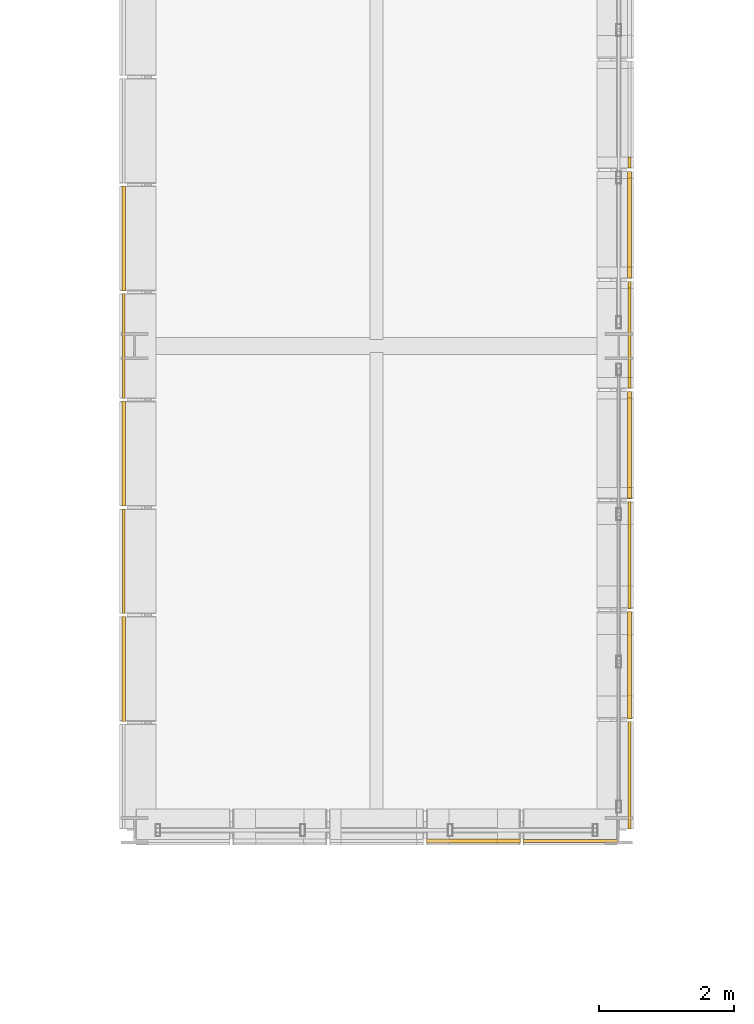
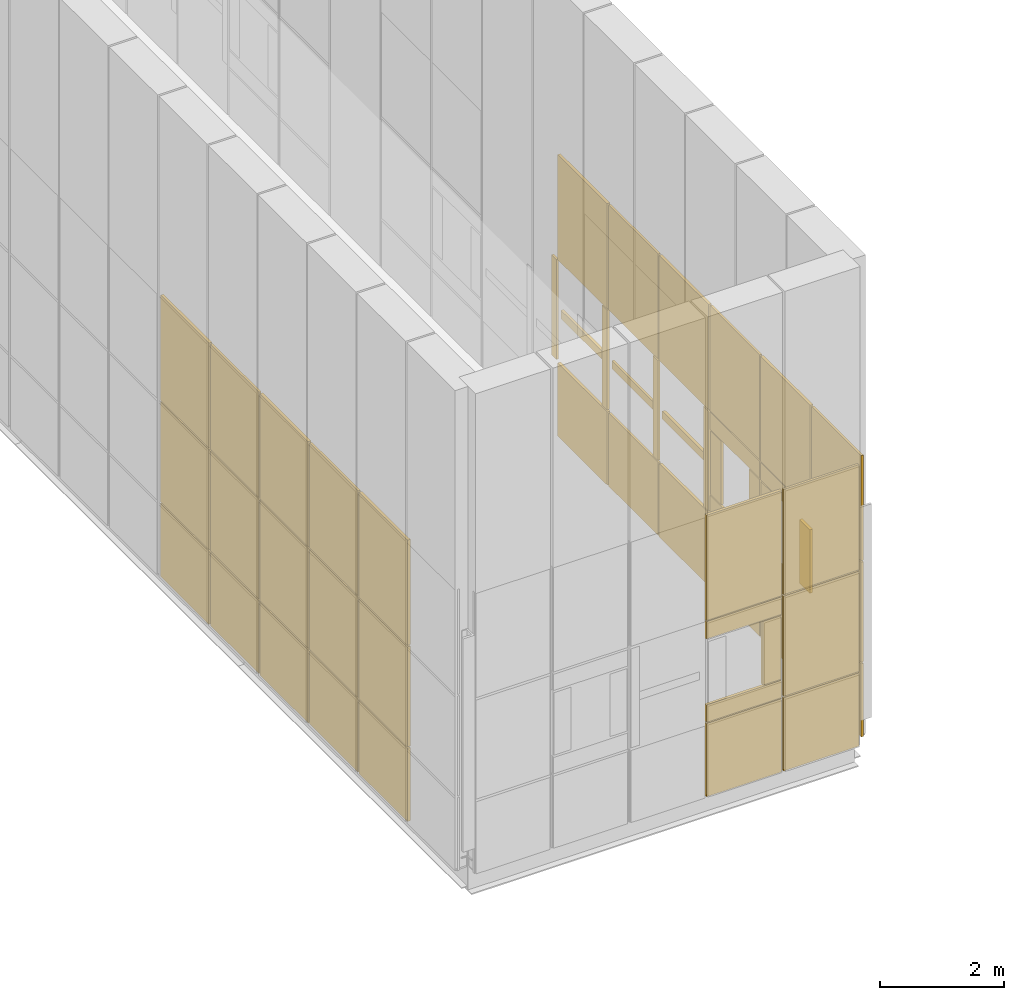
# One storey, part 127 of 144: 51 coverings.
"""IFC4 building model written with IfcOpenShell, lengths in metres."""

import ifcopenshell
import ifcopenshell.guid

model = None  # the IFC model being written
_history = None  # IfcOwnerHistory: only IFC2X3 demands one
_inside = {}  # id of a spatial element -> (the spatial element, [elements in it])
_under = {}  # id of a project, library or spatial element -> (it, [spatial elements below it])
_declared = {}  # id of a project -> (the project, [libraries it declares])
_typed = {}  # id of a type object -> (the type object, [elements of that type])
_made_of = {}  # id of a material, layer set ... -> (it, [elements and type objects made of it])


def new_model(schema):
    """Start an empty IFC model of exactly this schema.

    Asked for "IFC4X3", IfcOpenShell would pick the latest addendum, in which some entities
    have other attributes; the version numbers below select the first issue.
    IFC2X3 requires an IfcOwnerHistory on every rooted entity: one is made here for all.
    """
    global model, _history
    if schema == "IFC4X3":
        model = ifcopenshell.file(schema_version=(4, 3, 0, 0))
    else:
        model = ifcopenshell.file(schema=schema)
    _inside.clear()
    _under.clear()
    _declared.clear()
    _typed.clear()
    _made_of.clear()
    _history = None
    if model.schema == "IFC2X3":
        org = make("IfcOrganization", Name="unknown")
        user = make(
            "IfcPersonAndOrganization",
            ThePerson=make("IfcPerson", FamilyName="unknown"),
            TheOrganization=org,
        )
        app = make(
            "IfcApplication",
            ApplicationDeveloper=org,
            Version="unknown",
            ApplicationFullName="unknown",
            ApplicationIdentifier="unknown",
        )
        _history = make(
            "IfcOwnerHistory",
            OwningUser=user,
            OwningApplication=app,
            ChangeAction="ADDED",
            CreationDate=0,
        )
    return model


def make(cls, **values):
    """One entity of the class cls with the attributes given. An attribute that is None is left unset."""
    return model.create_entity(
        cls, **{name: value for name, value in values.items() if value is not None}
    )


def rooted(cls, **values):
    """An entity with a GlobalId (a new one), such as an element, a storey or a relation."""
    return make(cls, GlobalId=ifcopenshell.guid.new(), OwnerHistory=_history, **values)


def si_unit(unit_type, name, prefix=None):
    """IfcSIUnit, for example si_unit("LENGTHUNIT", "METRE", prefix="MILLI")."""
    return make("IfcSIUnit", UnitType=unit_type, Prefix=prefix, Name=name)


def assignment(units):
    """IfcUnitAssignment: the units of a project."""
    return None if units is None else make("IfcUnitAssignment", Units=units)


def point(xyz):
    """IfcCartesianPoint."""
    return None if xyz is None else make("IfcCartesianPoint", Coordinates=xyz)


def direction(xyz):
    """IfcDirection."""
    return None if xyz is None else make("IfcDirection", DirectionRatios=xyz)


def frame(location, z_axis=None, x_axis=None):
    """IfcAxis2Placement3D, a coordinate frame: its origin and axes. An axis left out is left unset."""
    return make(
        "IfcAxis2Placement3D",
        Location=point(location),
        Axis=direction(z_axis),
        RefDirection=direction(x_axis),
    )


def frame_2d(location, x_axis=None):
    """IfcAxis2Placement2D, a coordinate frame in the plane: its origin and x axis."""
    return make(
        "IfcAxis2Placement2D", Location=point(location), RefDirection=direction(x_axis)
    )


def origin():
    """The frame at (0, 0, 0) with its axes left unset."""
    return frame((0.0, 0.0, 0.0))


def origin_2d():
    """The frame at (0, 0) in the plane with its x axis left unset."""
    return frame_2d((0.0, 0.0))


def place(relative_to, where):
    """IfcLocalPlacement: puts the frame where relative to a parent placement (None: the world)."""
    return make(
        "IfcLocalPlacement", PlacementRelTo=relative_to, RelativePlacement=where
    )


def context(
    kind, dimensions, precision=None, world=None, true_north=None, identifier=None
):
    """IfcGeometricRepresentationContext, for example the 3D "Model" context."""
    return make(
        "IfcGeometricRepresentationContext",
        ContextIdentifier=identifier,
        ContextType=kind,
        CoordinateSpaceDimension=dimensions,
        Precision=precision,
        WorldCoordinateSystem=world,
        TrueNorth=true_north,
    )


def subcontext(parent, identifier, kind, view, scale=None):
    """IfcGeometricRepresentationSubContext, for example "Body" below "Model"."""
    return make(
        "IfcGeometricRepresentationSubContext",
        ContextIdentifier=identifier,
        ContextType=kind,
        ParentContext=parent,
        TargetScale=scale,
        TargetView=view,
    )


def project(units=None, contexts=None):
    """IfcProject with its units and contexts."""
    return rooted(
        "IfcProject",
        Name="project",
        RepresentationContexts=contexts,
        UnitsInContext=assignment(units),
    )


def spatial(cls, under=None, at=None, **own):
    """A site, building, storey or space (cls), placed at a placement, below another one or the project."""
    s = rooted(cls, ObjectPlacement=at, **own)
    if under is not None:
        _under.setdefault(under.id(), (under, []))[1].append(s)
    return s


def profile(cls, at=None, kind="AREA", **sizes):
    """A parametric profile (cls). Its sizes go by their IFC names, for example OverallWidth=200.0."""
    return make(cls, ProfileType=kind, Position=at, **sizes)


def rectangle(**sizes):
    """IfcRectangleProfileDef."""
    return profile("IfcRectangleProfileDef", **sizes)


def extrude(swept, where, along, depth):
    """IfcExtrudedAreaSolid: the profile swept, set in the frame where, extruded along a direction by depth."""
    return make(
        "IfcExtrudedAreaSolid",
        SweptArea=swept,
        Position=where,
        ExtrudedDirection=direction(along),
        Depth=depth,
    )


def shape(context_of_items, identifier, shape_type, items):
    """IfcShapeRepresentation: the items that make up one representation, for example the "Body"."""
    return make(
        "IfcShapeRepresentation",
        ContextOfItems=context_of_items,
        RepresentationIdentifier=identifier,
        RepresentationType=shape_type,
        Items=items,
    )


def material(Name=None, Category=None):
    """IfcMaterial."""
    return make("IfcMaterial", Name=Name, Category=Category)


def layer(
    of_material, thickness, ventilated=None, Name=None, Category=None, Priority=None
):
    """IfcMaterialLayer: one layer of a wall or slab, of a material (None: an air gap)."""
    return make(
        "IfcMaterialLayer",
        Material=of_material,
        LayerThickness=thickness,
        IsVentilated=ventilated,
        Name=Name,
        Category=Category,
        Priority=Priority,
    )


def layer_set(layers, Name=None):
    """IfcMaterialLayerSet."""
    return make("IfcMaterialLayerSet", MaterialLayers=layers, LayerSetName=Name)


def made_of(thing, what):
    """Note that an element or type object is made of a material, layer set ...; save() writes the relation."""
    if what is not None:
        _made_of.setdefault(what.id(), (what, []))[1].append(thing)
    return thing


def type_object(cls, material=None, **own):
    """A type object (cls), such as IfcWallType, which elements share."""
    return made_of(rooted(cls, **own), material)


def element(
    cls,
    number,
    at=None,
    inside=None,
    cuts=None,
    type_object=None,
    material=None,
    context=None,
    identifier="Body",
    shape_type=None,
    held_by="IfcProductDefinitionShape",
    body=None,
    shapes=None,
    **own,
):
    """One element of the class cls, such as IfcWall. Its Tag is "e" and its number.

    at: its placement. inside: the storey or other place that contains it. cuts: it is an
    opening in that element (IfcRelVoidsElement). A single representation is given by context,
    identifier, shape_type and body (its items); several are given by shapes. held_by: the class
    of the entity that holds the representations. save() writes the other relations.
    """
    e = rooted(cls, Tag="e%d" % number, ObjectPlacement=at, **own)
    if body is not None:
        shapes = [shape(context, identifier, shape_type, body)]
    if shapes is not None:
        e.Representation = make(held_by, Representations=shapes)
    if inside is not None:
        _inside.setdefault(inside.id(), (inside, []))[1].append(e)
    if cuts is not None:
        rooted(
            "IfcRelVoidsElement", RelatingBuildingElement=cuts, RelatedOpeningElement=e
        )
    if type_object is not None:
        _typed.setdefault(type_object.id(), (type_object, []))[1].append(e)
    return made_of(e, material)


def aggregate(whole, parts):
    """IfcRelAggregates: a whole, such as a stair, and the parts it consists of."""
    return rooted("IfcRelAggregates", RelatingObject=whole, RelatedObjects=parts)


def save(model, path):
    """Write the relations noted so far, then the file.

    IfcRelAggregates (storeys below a building ...), IfcRelContainedInSpatialStructure (elements
    in a storey), IfcRelDefinesByType, IfcRelAssociatesMaterial and IfcRelDeclares: one each for
    every whole, place, type object, material and project.
    """
    for whole, parts in _under.values():
        aggregate(whole, parts)
    for where, things in _inside.values():
        rooted(
            "IfcRelContainedInSpatialStructure",
            RelatedElements=things,
            RelatingStructure=where,
        )
    for kind, things in _typed.values():
        rooted("IfcRelDefinesByType", RelatedObjects=things, RelatingType=kind)
    for what, things in _made_of.values():
        rooted("IfcRelAssociatesMaterial", RelatedObjects=things, RelatingMaterial=what)
    for by, libraries in _declared.values():
        rooted("IfcRelDeclares", RelatingContext=by, RelatedDefinitions=libraries)
    model.write(path)


model = new_model("IFC4")

# Units and contexts
model_context = context("Model", 3, precision=1e-05, world=origin(), true_north=direction((0.0, 1.0)))
body_context = subcontext(model_context, "Body", "Model", "MODEL_VIEW")
ifc_project = project(units=[si_unit("LENGTHUNIT", "METRE"), si_unit("AREAUNIT", "SQUARE_METRE"), si_unit("VOLUMEUNIT", "CUBIC_METRE"), si_unit("PLANEANGLEUNIT", "RADIAN"), si_unit("MASSUNIT", "GRAM", prefix="KILO")], contexts=[model_context])

# Site, building, storey
site_placement = place(None, origin())
site = spatial("IfcSite", under=ifc_project, at=site_placement, CompositionType="ELEMENT")
building_placement = place(site_placement, origin())
building = spatial("IfcBuilding", under=site, at=building_placement, Name="Yarey Park Central Fire Station", CompositionType="ELEMENT")
storey_placement = place(building_placement, frame((0.0, 0.0, 10.199951171875)))
storey = spatial("IfcBuildingStorey", under=building, at=storey_placement, Name="L03", CompositionType="ELEMENT", Elevation=10.199951171875)

# Coverings
ifc_material = material(Name="Perforated Powder-Coated Aluminium Cladding", Category="aluminium")
ifc_layer_1 = layer(ifc_material, 0.0419921875)
ifc_layer_set_1 = layer_set([ifc_layer_1], Name="Perforated Powder-Coated Aluminium Cladding")
covering_type_1 = type_object("IfcCoveringType", Name="ENV_COV_PERF_1", PredefinedType="CLADDING", material=ifc_layer_set_1)
covering_1_placement = place(storey_placement, frame((56.8798828125, 21.43994140625, -0.5048828125), z_axis=(0.0, 0.0, 1.0), x_axis=(1.0, 0.0, 0.0)))
element("IfcCovering", 1, at=covering_1_placement, inside=storey, type_object=covering_type_1, Name="PERF_L03_0299", PredefinedType="CLADDING", context=body_context, shape_type="SweptSolid", body=[
    extrude(rectangle(XDim=1.39990234375, YDim=0.0419921875, at=origin_2d()), origin(), (0.0, 0.0, 1.0), 1.43994140625),
])
covering_2_placement = place(storey_placement, frame((56.8798828125, 21.43994140625, 0.96484375), z_axis=(0.0, 0.0, 1.0), x_axis=(1.0, 0.0, 0.0)))
element("IfcCovering", 2, at=covering_2_placement, inside=storey, type_object=covering_type_1, Name="PERF_L03_0300", PredefinedType="CLADDING", context=body_context, shape_type="SweptSolid", body=[
    extrude(rectangle(XDim=1.39990234375, YDim=0.0419921875, at=origin_2d()), origin(), (0.0, 0.0, 1.0), 1.969970703125),
])
covering_3_placement = place(storey_placement, frame((56.8798828125, 21.43994140625, 2.96484375), z_axis=(0.0, 0.0, 1.0), x_axis=(1.0, 0.0, 0.0)))
element("IfcCovering", 3, at=covering_3_placement, inside=storey, type_object=covering_type_1, Name="PERF_L03_0301", PredefinedType="CLADDING", context=body_context, shape_type="SweptSolid", body=[
    extrude(rectangle(XDim=1.39990234375, YDim=0.0419921875, at=origin_2d()), origin(), (0.0, 0.0, 1.0), 2.070068359375),
])
covering_4_placement = place(storey_placement, frame((57.760009765625, 22.418212890625, -0.5048828125), z_axis=(0.0, 0.0, 1.0), x_axis=(0.0, 1.0, 0.0)))
element("IfcCovering", 4, at=covering_4_placement, inside=storey, type_object=covering_type_1, Name="PERF_L03_0304", PredefinedType="CLADDING", context=body_context, shape_type="SweptSolid", body=[
    extrude(rectangle(XDim=1.596435546875, YDim=0.0419921875, at=origin_2d()), origin(), (0.0, 0.0, 1.0), 1.43994140625),
])
covering_5_placement = place(storey_placement, frame((57.760009765625, 22.418212890625, 0.96484375), z_axis=(0.0, 0.0, 1.0), x_axis=(0.0, 1.0, 0.0)))
element("IfcCovering", 5, at=covering_5_placement, inside=storey, type_object=covering_type_1, Name="PERF_L03_0305", PredefinedType="CLADDING", context=body_context, shape_type="SweptSolid", body=[
    extrude(rectangle(XDim=1.596435546875, YDim=0.0419921875, at=origin_2d()), origin(), (0.0, 0.0, 1.0), 1.969970703125),
])
covering_6_placement = place(storey_placement, frame((57.760009765625, 22.418212890625, 2.96484375), z_axis=(0.0, 0.0, 1.0), x_axis=(0.0, 1.0, 0.0)))
element("IfcCovering", 6, at=covering_6_placement, inside=storey, type_object=covering_type_1, Name="PERF_L03_0306", PredefinedType="CLADDING", context=body_context, shape_type="SweptSolid", body=[
    extrude(rectangle(XDim=1.596435546875, YDim=0.0419921875, at=origin_2d()), origin(), (0.0, 0.0, 1.0), 2.070068359375),
])
covering_7_placement = place(storey_placement, frame((57.760009765625, 25.69091796875, -0.5048828125), z_axis=(0.0, 0.0, 1.0), x_axis=(0.0, 1.0, 0.0)))
element("IfcCovering", 7, at=covering_7_placement, inside=storey, type_object=covering_type_1, Name="PERF_L03_0320", PredefinedType="CLADDING", context=body_context, shape_type="SweptSolid", body=[
    extrude(rectangle(XDim=1.596435546875, YDim=0.0419921875, at=origin_2d()), origin(), (0.0, 0.0, 1.0), 1.43994140625),
])
for number, where, z_axis, x_axis, name in (
    (8, (57.760009765625, 25.69091796875, 0.9599609375), (0.0, 0.0, 1.0), (0.0, 1.0, 0.0), "PERF_L03_0321"),
    (9, (57.760009765625, 25.69091796875, 2.60009765625), (0.0, 0.0, 1.0), (0.0, 1.0, 0.0), "PERF_L03_0322"),
):
    element("IfcCovering", number, at=place(storey_placement, frame(where, z_axis=z_axis, x_axis=x_axis)), inside=storey, type_object=covering_type_1, Name=name, PredefinedType="CLADDING", context=body_context, shape_type="SweptSolid", body=[
        extrude(rectangle(XDim=1.596435546875, YDim=0.0419921875, at=origin_2d()), origin(), (0.0, 0.0, 1.0), 0.340087890625),
    ])
for number, where, z_axis, x_axis, name in (
    (10, (57.760009765625, 25.07275390625, 1.324951171875), (0.0, 0.0, 1.0), (0.0, 1.0, 0.0), "PERF_L03_0323"),
    (11, (57.760009765625, 26.30908203125, 1.324951171875), (0.0, 0.0, 1.0), (0.0, 1.0, 0.0), "PERF_L03_0324"),
):
    element("IfcCovering", number, at=place(storey_placement, frame(where, z_axis=z_axis, x_axis=x_axis)), inside=storey, type_object=covering_type_1, Name=name, PredefinedType="CLADDING", context=body_context, shape_type="SweptSolid", body=[
        extrude(rectangle(XDim=0.340087890625, YDim=0.0419921875, at=origin_2d()), origin(), (0.0, 0.0, 1.0), 1.25),
    ])
covering_8_placement = place(storey_placement, frame((57.760009765625, 25.69091796875, 2.96484375), z_axis=(0.0, 0.0, 1.0), x_axis=(0.0, 1.0, 0.0)))
element("IfcCovering", 12, at=covering_8_placement, inside=storey, type_object=covering_type_1, Name="PERF_L03_0325", PredefinedType="CLADDING", context=body_context, shape_type="SweptSolid", body=[
    extrude(rectangle(XDim=1.596435546875, YDim=0.0419921875, at=origin_2d()), origin(), (0.0, 0.0, 1.0), 2.070068359375),
])
covering_9_placement = place(storey_placement, frame((57.760009765625, 28.963623046875, -0.5048828125), z_axis=(0.0, 0.0, 1.0), x_axis=(0.0, 1.0, 0.0)))
element("IfcCovering", 13, at=covering_9_placement, inside=storey, type_object=covering_type_1, Name="PERF_L03_0338", PredefinedType="CLADDING", context=body_context, shape_type="SweptSolid", body=[
    extrude(rectangle(XDim=1.596435546875, YDim=0.0419921875, at=origin_2d()), origin(), (0.0, 0.0, 1.0), 1.43994140625),
])
covering_10_placement = place(storey_placement, frame((57.760009765625, 28.25537109375, 0.96484375), z_axis=(0.0, 0.0, 1.0), x_axis=(0.0, 1.0, 0.0)))
element("IfcCovering", 14, at=covering_10_placement, inside=storey, type_object=covering_type_1, Name="PERF_L03_0339", PredefinedType="CLADDING", context=body_context, shape_type="SweptSolid", body=[
    extrude(rectangle(XDim=0.159912109375, YDim=0.0419921875, at=origin_2d()), origin(), (0.0, 0.0, 1.0), 1.969970703125),
])
covering_11_placement = place(storey_placement, frame((57.760009765625, 28.963623046875, 1.8701171875), z_axis=(0.0, 0.0, 1.0), x_axis=(0.0, 1.0, 0.0)))
element("IfcCovering", 15, at=covering_11_placement, inside=storey, type_object=covering_type_1, Name="PERF_L03_0340", PredefinedType="CLADDING", context=body_context, shape_type="SweptSolid", body=[
    extrude(rectangle(XDim=1.396484375, YDim=0.0419921875, at=origin_2d()), origin(), (0.0, 0.0, 1.0), 0.159912109375),
])
covering_12_placement = place(storey_placement, frame((57.760009765625, 28.963623046875, 2.96484375), z_axis=(0.0, 0.0, 1.0), x_axis=(0.0, 1.0, 0.0)))
element("IfcCovering", 16, at=covering_12_placement, inside=storey, type_object=covering_type_1, Name="PERF_L03_0341", PredefinedType="CLADDING", context=body_context, shape_type="SweptSolid", body=[
    extrude(rectangle(XDim=1.596435546875, YDim=0.0419921875, at=origin_2d()), origin(), (0.0, 0.0, 1.0), 2.070068359375),
])
covering_13_placement = place(storey_placement, frame((57.760009765625, 31.5283203125, 0.96484375), z_axis=(0.0, 0.0, 1.0), x_axis=(0.0, 1.0, 0.0)))
element("IfcCovering", 17, at=covering_13_placement, inside=storey, type_object=covering_type_1, Name="PERF_L03_0353", PredefinedType="CLADDING", context=body_context, shape_type="SweptSolid", body=[
    extrude(rectangle(XDim=0.159912109375, YDim=0.0419921875, at=origin_2d()), origin(), (0.0, 0.0, 1.0), 1.969970703125),
])
covering_14_placement = place(storey_placement, frame((50.239990234375, 25.60009765625, -0.5048828125), z_axis=(0.0, 0.0, 1.0), x_axis=(0.0, 1.0, 0.0)))
element("IfcCovering", 18, at=covering_14_placement, inside=storey, type_object=covering_type_1, Name="PERF_L03_0997", PredefinedType="CLADDING", context=body_context, shape_type="SweptSolid", body=[
    extrude(rectangle(XDim=1.56005859375, YDim=0.0419921875, at=origin_2d()), origin(), (0.0, 0.0, 1.0), 1.43994140625),
])
covering_15_placement = place(storey_placement, frame((50.239990234375, 25.60009765625, 0.96484375), z_axis=(0.0, 0.0, 1.0), x_axis=(0.0, 1.0, 0.0)))
element("IfcCovering", 19, at=covering_15_placement, inside=storey, type_object=covering_type_1, Name="PERF_L03_0998", PredefinedType="CLADDING", context=body_context, shape_type="SweptSolid", body=[
    extrude(rectangle(XDim=1.56005859375, YDim=0.0419921875, at=origin_2d()), origin(), (0.0, 0.0, 1.0), 1.969970703125),
])
covering_16_placement = place(storey_placement, frame((50.239990234375, 25.60009765625, 2.96484375), z_axis=(0.0, 0.0, 1.0), x_axis=(0.0, 1.0, 0.0)))
element("IfcCovering", 20, at=covering_16_placement, inside=storey, type_object=covering_type_1, Name="PERF_L03_0999", PredefinedType="CLADDING", context=body_context, shape_type="SweptSolid", body=[
    extrude(rectangle(XDim=1.56005859375, YDim=0.0419921875, at=origin_2d()), origin(), (0.0, 0.0, 1.0), 2.070068359375),
])
covering_17_placement = place(storey_placement, frame((50.239990234375, 28.800048828125, -0.5048828125), z_axis=(0.0, 0.0, 1.0), x_axis=(0.0, 1.0, 0.0)))
element("IfcCovering", 21, at=covering_17_placement, inside=storey, type_object=covering_type_1, Name="PERF_L03_1007", PredefinedType="CLADDING", context=body_context, shape_type="SweptSolid", body=[
    extrude(rectangle(XDim=1.56005859375, YDim=0.0419921875, at=origin_2d()), origin(), (0.0, 0.0, 1.0), 1.43994140625),
])
covering_18_placement = place(storey_placement, frame((50.239990234375, 28.800048828125, 0.96484375), z_axis=(0.0, 0.0, 1.0), x_axis=(0.0, 1.0, 0.0)))
element("IfcCovering", 22, at=covering_18_placement, inside=storey, type_object=covering_type_1, Name="PERF_L03_1008", PredefinedType="CLADDING", context=body_context, shape_type="SweptSolid", body=[
    extrude(rectangle(XDim=1.56005859375, YDim=0.0419921875, at=origin_2d()), origin(), (0.0, 0.0, 1.0), 1.969970703125),
])
covering_19_placement = place(storey_placement, frame((50.239990234375, 28.800048828125, 2.96484375), z_axis=(0.0, 0.0, 1.0), x_axis=(0.0, 1.0, 0.0)))
element("IfcCovering", 23, at=covering_19_placement, inside=storey, type_object=covering_type_1, Name="PERF_L03_1009", PredefinedType="CLADDING", context=body_context, shape_type="SweptSolid", body=[
    extrude(rectangle(XDim=1.56005859375, YDim=0.0419921875, at=origin_2d()), origin(), (0.0, 0.0, 1.0), 2.070068359375),
])
ifc_layer_2 = layer(ifc_material, 0.053955078125)
ifc_layer_set_2 = layer_set([ifc_layer_2], Name="Perforated Powder-Coated Aluminium Cladding")
covering_type_2 = type_object("IfcCoveringType", Name="ENV_COV_PERF_2", PredefinedType="CLADDING", material=ifc_layer_set_2)
covering_20_placement = place(storey_placement, frame((55.43994140625, 21.43994140625, -0.5048828125), z_axis=(0.0, 0.0, 1.0), x_axis=(1.0, 0.0, 0.0)))
element("IfcCovering", 24, at=covering_20_placement, inside=storey, type_object=covering_type_2, Name="PERF_L03_0288", PredefinedType="CLADDING", context=body_context, shape_type="SweptSolid", body=[
    extrude(rectangle(XDim=1.39990234375, YDim=0.053955078125, at=origin_2d()), origin(), (0.0, 0.0, 1.0), 1.43994140625),
])
for number, where, z_axis, x_axis, name in (
    (25, (55.43994140625, 21.43994140625, 0.9599609375), (0.0, 0.0, 1.0), (1.0, 0.0, 0.0), "PERF_L03_0289"),
    (26, (55.43994140625, 21.43994140625, 2.60009765625), (0.0, 0.0, 1.0), (1.0, 0.0, 0.0), "PERF_L03_0290"),
):
    element("IfcCovering", number, at=place(storey_placement, frame(where, z_axis=z_axis, x_axis=x_axis)), inside=storey, type_object=covering_type_2, Name=name, PredefinedType="CLADDING", context=body_context, shape_type="SweptSolid", body=[
        extrude(rectangle(XDim=1.39990234375, YDim=0.053955078125, at=origin_2d()), origin(), (0.0, 0.0, 1.0), 0.340087890625),
    ])
covering_21_placement = place(storey_placement, frame((55.9599609375, 21.43994140625, 1.324951171875), z_axis=(0.0, 0.0, 1.0), x_axis=(1.0, 0.0, 0.0)))
element("IfcCovering", 27, at=covering_21_placement, inside=storey, type_object=covering_type_2, Name="PERF_L03_0292", PredefinedType="CLADDING", context=body_context, shape_type="SweptSolid", body=[
    extrude(rectangle(XDim=0.340087890625, YDim=0.053955078125, at=origin_2d()), origin(), (0.0, 0.0, 1.0), 1.25),
])
covering_22_placement = place(storey_placement, frame((55.43994140625, 21.43994140625, 2.96484375), z_axis=(0.0, 0.0, 1.0), x_axis=(1.0, 0.0, 0.0)))
element("IfcCovering", 28, at=covering_22_placement, inside=storey, type_object=covering_type_2, Name="PERF_L03_0293", PredefinedType="CLADDING", context=body_context, shape_type="SweptSolid", body=[
    extrude(rectangle(XDim=1.39990234375, YDim=0.053955078125, at=origin_2d()), origin(), (0.0, 0.0, 1.0), 2.070068359375),
])
covering_23_placement = place(storey_placement, frame((57.760009765625, 24.054443359375, -0.5048828125), z_axis=(0.0, 0.0, 1.0), x_axis=(0.0, 1.0, 0.0)))
element("IfcCovering", 29, at=covering_23_placement, inside=storey, type_object=covering_type_2, Name="PERF_L03_0309", PredefinedType="CLADDING", context=body_context, shape_type="SweptSolid", body=[
    extrude(rectangle(XDim=1.596435546875, YDim=0.053955078125, at=origin_2d()), origin(), (0.0, 0.0, 1.0), 1.43994140625),
])
for number, where, z_axis, x_axis, name in (
    (30, (57.760009765625, 24.054443359375, 0.9599609375), (0.0, 0.0, 1.0), (0.0, 1.0, 0.0), "PERF_L03_0310"),
    (31, (57.760009765625, 24.054443359375, 2.60009765625), (0.0, 0.0, 1.0), (0.0, 1.0, 0.0), "PERF_L03_0311"),
):
    element("IfcCovering", number, at=place(storey_placement, frame(where, z_axis=z_axis, x_axis=x_axis)), inside=storey, type_object=covering_type_2, Name=name, PredefinedType="CLADDING", context=body_context, shape_type="SweptSolid", body=[
        extrude(rectangle(XDim=1.596435546875, YDim=0.053955078125, at=origin_2d()), origin(), (0.0, 0.0, 1.0), 0.340087890625),
    ])
for number, where, z_axis, x_axis, name in (
    (32, (57.760009765625, 23.436279296875, 1.324951171875), (0.0, 0.0, 1.0), (0.0, 1.0, 0.0), "PERF_L03_0312"),
    (33, (57.760009765625, 24.672607421875, 1.324951171875), (0.0, 0.0, 1.0), (0.0, 1.0, 0.0), "PERF_L03_0313"),
):
    element("IfcCovering", number, at=place(storey_placement, frame(where, z_axis=z_axis, x_axis=x_axis)), inside=storey, type_object=covering_type_2, Name=name, PredefinedType="CLADDING", context=body_context, shape_type="SweptSolid", body=[
        extrude(rectangle(XDim=0.340087890625, YDim=0.053955078125, at=origin_2d()), origin(), (0.0, 0.0, 1.0), 1.25),
    ])
covering_24_placement = place(storey_placement, frame((57.760009765625, 24.054443359375, 2.96484375), z_axis=(0.0, 0.0, 1.0), x_axis=(0.0, 1.0, 0.0)))
element("IfcCovering", 34, at=covering_24_placement, inside=storey, type_object=covering_type_2, Name="PERF_L03_0314", PredefinedType="CLADDING", context=body_context, shape_type="SweptSolid", body=[
    extrude(rectangle(XDim=1.596435546875, YDim=0.053955078125, at=origin_2d()), origin(), (0.0, 0.0, 1.0), 2.070068359375),
])
covering_25_placement = place(storey_placement, frame((57.760009765625, 27.327392578125, -0.5048828125), z_axis=(0.0, 0.0, 1.0), x_axis=(0.0, 1.0, 0.0)))
element("IfcCovering", 35, at=covering_25_placement, inside=storey, type_object=covering_type_2, Name="PERF_L03_0331", PredefinedType="CLADDING", context=body_context, shape_type="SweptSolid", body=[
    extrude(rectangle(XDim=1.596435546875, YDim=0.053955078125, at=origin_2d()), origin(), (0.0, 0.0, 1.0), 1.43994140625),
])
covering_26_placement = place(storey_placement, frame((57.760009765625, 26.619140625, 0.96484375), z_axis=(0.0, 0.0, 1.0), x_axis=(0.0, 1.0, 0.0)))
element("IfcCovering", 36, at=covering_26_placement, inside=storey, type_object=covering_type_2, Name="PERF_L03_0332", PredefinedType="CLADDING", context=body_context, shape_type="SweptSolid", body=[
    extrude(rectangle(XDim=0.159912109375, YDim=0.053955078125, at=origin_2d()), origin(), (0.0, 0.0, 1.0), 1.969970703125),
])
covering_27_placement = place(storey_placement, frame((57.760009765625, 27.327392578125, 1.8701171875), z_axis=(0.0, 0.0, 1.0), x_axis=(0.0, 1.0, 0.0)))
element("IfcCovering", 37, at=covering_27_placement, inside=storey, type_object=covering_type_2, Name="PERF_L03_0333", PredefinedType="CLADDING", context=body_context, shape_type="SweptSolid", body=[
    extrude(rectangle(XDim=1.396484375, YDim=0.053955078125, at=origin_2d()), origin(), (0.0, 0.0, 1.0), 0.159912109375),
])
covering_28_placement = place(storey_placement, frame((57.760009765625, 27.327392578125, 2.96484375), z_axis=(0.0, 0.0, 1.0), x_axis=(0.0, 1.0, 0.0)))
element("IfcCovering", 38, at=covering_28_placement, inside=storey, type_object=covering_type_2, Name="PERF_L03_0334", PredefinedType="CLADDING", context=body_context, shape_type="SweptSolid", body=[
    extrude(rectangle(XDim=1.596435546875, YDim=0.053955078125, at=origin_2d()), origin(), (0.0, 0.0, 1.0), 2.070068359375),
])
covering_29_placement = place(storey_placement, frame((57.760009765625, 30.60009765625, -0.5048828125), z_axis=(0.0, 0.0, 1.0), x_axis=(0.0, 1.0, 0.0)))
element("IfcCovering", 39, at=covering_29_placement, inside=storey, type_object=covering_type_2, Name="PERF_L03_0345", PredefinedType="CLADDING", context=body_context, shape_type="SweptSolid", body=[
    extrude(rectangle(XDim=1.596435546875, YDim=0.053955078125, at=origin_2d()), origin(), (0.0, 0.0, 1.0), 1.43994140625),
])
covering_30_placement = place(storey_placement, frame((57.760009765625, 29.891845703125, 0.96484375), z_axis=(0.0, 0.0, 1.0), x_axis=(0.0, 1.0, 0.0)))
element("IfcCovering", 40, at=covering_30_placement, inside=storey, type_object=covering_type_2, Name="PERF_L03_0346", PredefinedType="CLADDING", context=body_context, shape_type="SweptSolid", body=[
    extrude(rectangle(XDim=0.159912109375, YDim=0.053955078125, at=origin_2d()), origin(), (0.0, 0.0, 1.0), 1.969970703125),
])
covering_31_placement = place(storey_placement, frame((57.760009765625, 30.60009765625, 1.8701171875), z_axis=(0.0, 0.0, 1.0), x_axis=(0.0, 1.0, 0.0)))
element("IfcCovering", 41, at=covering_31_placement, inside=storey, type_object=covering_type_2, Name="PERF_L03_0347", PredefinedType="CLADDING", context=body_context, shape_type="SweptSolid", body=[
    extrude(rectangle(XDim=1.396484375, YDim=0.053955078125, at=origin_2d()), origin(), (0.0, 0.0, 1.0), 0.159912109375),
])
covering_32_placement = place(storey_placement, frame((57.760009765625, 30.60009765625, 2.96484375), z_axis=(0.0, 0.0, 1.0), x_axis=(0.0, 1.0, 0.0)))
element("IfcCovering", 42, at=covering_32_placement, inside=storey, type_object=covering_type_2, Name="PERF_L03_0348", PredefinedType="CLADDING", context=body_context, shape_type="SweptSolid", body=[
    extrude(rectangle(XDim=1.596435546875, YDim=0.053955078125, at=origin_2d()), origin(), (0.0, 0.0, 1.0), 2.070068359375),
])
covering_33_placement = place(storey_placement, frame((50.239990234375, 24.0, -0.5048828125), z_axis=(0.0, 0.0, 1.0), x_axis=(0.0, 1.0, 0.0)))
element("IfcCovering", 43, at=covering_33_placement, inside=storey, type_object=covering_type_2, Name="PERF_L03_0992", PredefinedType="CLADDING", context=body_context, shape_type="SweptSolid", body=[
    extrude(rectangle(XDim=1.56005859375, YDim=0.053955078125, at=origin_2d()), origin(), (0.0, 0.0, 1.0), 1.43994140625),
])
covering_34_placement = place(storey_placement, frame((50.239990234375, 24.0, 0.96484375), z_axis=(0.0, 0.0, 1.0), x_axis=(0.0, 1.0, 0.0)))
element("IfcCovering", 44, at=covering_34_placement, inside=storey, type_object=covering_type_2, Name="PERF_L03_0993", PredefinedType="CLADDING", context=body_context, shape_type="SweptSolid", body=[
    extrude(rectangle(XDim=1.56005859375, YDim=0.053955078125, at=origin_2d()), origin(), (0.0, 0.0, 1.0), 1.969970703125),
])
covering_35_placement = place(storey_placement, frame((50.239990234375, 24.0, 2.96484375), z_axis=(0.0, 0.0, 1.0), x_axis=(0.0, 1.0, 0.0)))
element("IfcCovering", 45, at=covering_35_placement, inside=storey, type_object=covering_type_2, Name="PERF_L03_0994", PredefinedType="CLADDING", context=body_context, shape_type="SweptSolid", body=[
    extrude(rectangle(XDim=1.56005859375, YDim=0.053955078125, at=origin_2d()), origin(), (0.0, 0.0, 1.0), 2.070068359375),
])
covering_36_placement = place(storey_placement, frame((50.239990234375, 27.199951171875, -0.5048828125), z_axis=(0.0, 0.0, 1.0), x_axis=(0.0, 1.0, 0.0)))
element("IfcCovering", 46, at=covering_36_placement, inside=storey, type_object=covering_type_2, Name="PERF_L03_1002", PredefinedType="CLADDING", context=body_context, shape_type="SweptSolid", body=[
    extrude(rectangle(XDim=1.56005859375, YDim=0.053955078125, at=origin_2d()), origin(), (0.0, 0.0, 1.0), 1.43994140625),
])
covering_37_placement = place(storey_placement, frame((50.239990234375, 27.199951171875, 0.96484375), z_axis=(0.0, 0.0, 1.0), x_axis=(0.0, 1.0, 0.0)))
element("IfcCovering", 47, at=covering_37_placement, inside=storey, type_object=covering_type_2, Name="PERF_L03_1003", PredefinedType="CLADDING", context=body_context, shape_type="SweptSolid", body=[
    extrude(rectangle(XDim=1.56005859375, YDim=0.053955078125, at=origin_2d()), origin(), (0.0, 0.0, 1.0), 1.969970703125),
])
covering_38_placement = place(storey_placement, frame((50.239990234375, 27.199951171875, 2.96484375), z_axis=(0.0, 0.0, 1.0), x_axis=(0.0, 1.0, 0.0)))
element("IfcCovering", 48, at=covering_38_placement, inside=storey, type_object=covering_type_2, Name="PERF_L03_1004", PredefinedType="CLADDING", context=body_context, shape_type="SweptSolid", body=[
    extrude(rectangle(XDim=1.56005859375, YDim=0.053955078125, at=origin_2d()), origin(), (0.0, 0.0, 1.0), 2.070068359375),
])
covering_39_placement = place(storey_placement, frame((50.239990234375, 30.39990234375, -0.5048828125), z_axis=(0.0, 0.0, 1.0), x_axis=(0.0, 1.0, 0.0)))
element("IfcCovering", 49, at=covering_39_placement, inside=storey, type_object=covering_type_2, Name="PERF_L03_1012", PredefinedType="CLADDING", context=body_context, shape_type="SweptSolid", body=[
    extrude(rectangle(XDim=1.56005859375, YDim=0.053955078125, at=origin_2d()), origin(), (0.0, 0.0, 1.0), 1.43994140625),
])
covering_40_placement = place(storey_placement, frame((50.239990234375, 30.39990234375, 0.96484375), z_axis=(0.0, 0.0, 1.0), x_axis=(0.0, 1.0, 0.0)))
element("IfcCovering", 50, at=covering_40_placement, inside=storey, type_object=covering_type_2, Name="PERF_L03_1013", PredefinedType="CLADDING", context=body_context, shape_type="SweptSolid", body=[
    extrude(rectangle(XDim=1.56005859375, YDim=0.053955078125, at=origin_2d()), origin(), (0.0, 0.0, 1.0), 1.969970703125),
])
covering_41_placement = place(storey_placement, frame((50.239990234375, 30.39990234375, 2.96484375), z_axis=(0.0, 0.0, 1.0), x_axis=(0.0, 1.0, 0.0)))
element("IfcCovering", 51, at=covering_41_placement, inside=storey, type_object=covering_type_2, Name="PERF_L03_1014", PredefinedType="CLADDING", context=body_context, shape_type="SweptSolid", body=[
    extrude(rectangle(XDim=1.56005859375, YDim=0.053955078125, at=origin_2d()), origin(), (0.0, 0.0, 1.0), 2.070068359375),
])

save(model, "model.ifc")
